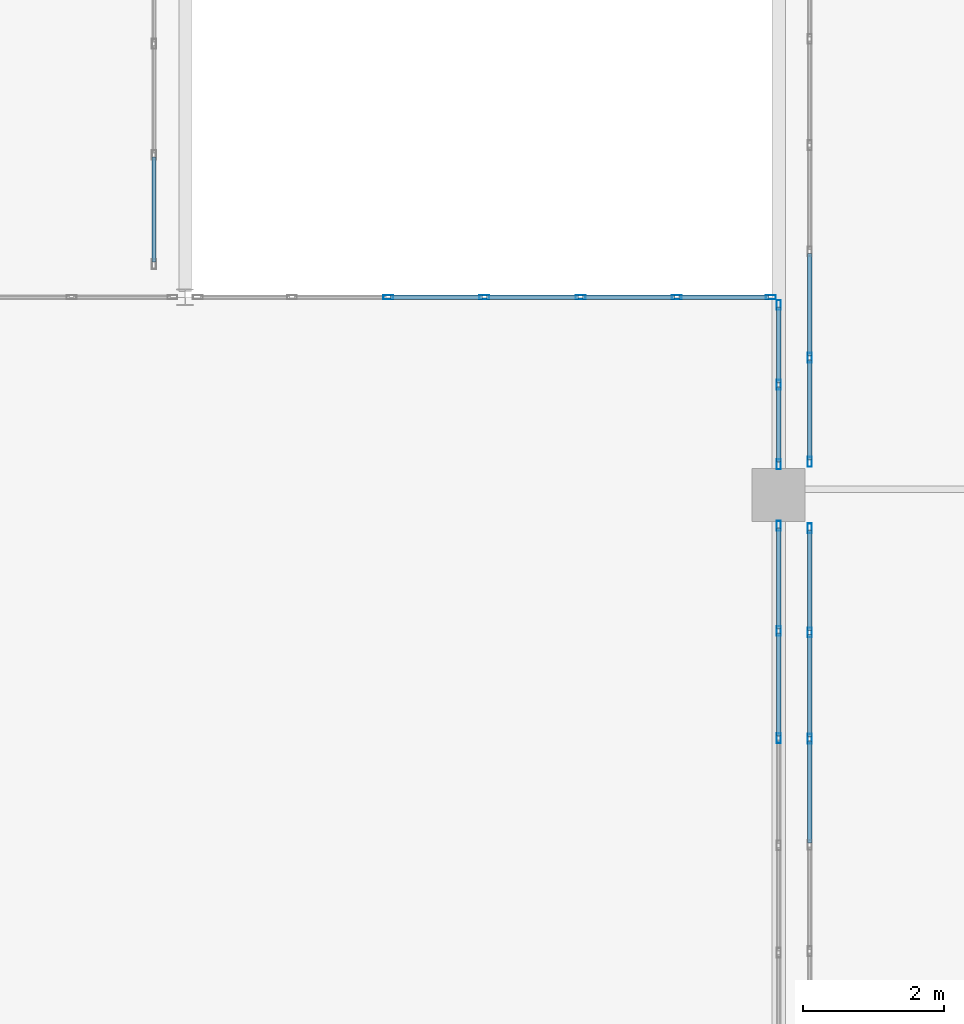
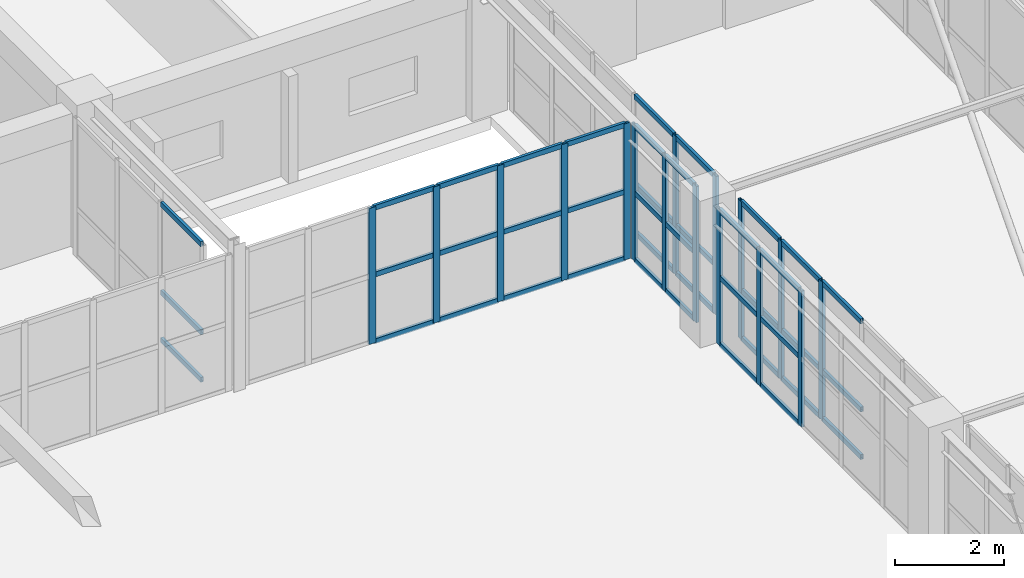
# One storey, part 99 of 200: 58 members, 6 elements without a shape of their own.
"""IFC4 building model written with IfcOpenShell, lengths in metres."""

from ifc_helpers import new_model, si_unit, direction, frame, origin, origin_2d, place, context, subcontext, project, spatial, hollow_rectangle, extrude, material, layer, layer_set, material_profile, profile_set, type_object, element, aggregate, save


model = new_model("IFC4")

# Units and contexts
model_context = context("Model", 3, precision=1e-05, world=origin(), true_north=direction((0.0, 1.0)))
body_context = subcontext(model_context, "Body", "Model", "MODEL_VIEW")
ifc_project = project(units=[si_unit("LENGTHUNIT", "METRE"), si_unit("AREAUNIT", "SQUARE_METRE"), si_unit("VOLUMEUNIT", "CUBIC_METRE"), si_unit("PLANEANGLEUNIT", "RADIAN"), si_unit("MASSUNIT", "GRAM", prefix="KILO")], contexts=[model_context])

# Site, building, storey
site_placement = place(None, origin())
site = spatial("IfcSite", under=ifc_project, at=site_placement, CompositionType="ELEMENT")
building_placement = place(site_placement, origin())
building = spatial("IfcBuilding", under=site, at=building_placement, Name="Trelvath General Hospital", CompositionType="ELEMENT")
storey_placement = place(building_placement, frame((0.0, 0.0, 4.800048828125)))
storey = spatial("IfcBuildingStorey", under=building, at=storey_placement, Name="L01", CompositionType="ELEMENT", Elevation=4.800048828125)

# Curtain wall, members
ifc_material_1 = material(Name="Anodised aluminium and low-E glass", Category="aluminium")
ifc_layer_1 = layer(ifc_material_1, 0.14990234375)
ifc_layer_set_1 = layer_set([ifc_layer_1], Name="Anodised aluminium and low-E glass")
curtain_wall_type_1 = type_object("IfcCurtainWallType", Name="CW CrystalCube 817 306 15", PredefinedType="USERDEFINED", material=ifc_layer_set_1)
curtain_wall_1_placement = place(storey_placement, origin())
curtain_wall_1 = element("IfcCurtainWall", 1, at=curtain_wall_1_placement, inside=storey, type_object=curtain_wall_type_1, Name="Crystal Cube Curtain Wall CUBE-W-T0 N5 L01", ObjectType="Unitised Glazed Curtain Wall", PredefinedType="USERDEFINED")
ifc_material_2 = material(Name="Anodised aluminium", Category="aluminium")
ifc_material_profile_1 = material_profile(ifc_material_2, hollow_rectangle(XDim=0.06005859375, YDim=0.139892578125, WallThickness=0.00390625, at=origin_2d()), Name="RHS60x140x4")
ifc_profile_set_1 = profile_set([ifc_material_profile_1], Name="Anodised aluminium")
member_type_1 = type_object("IfcMemberType", Name="CurtainMullion 60x140", PredefinedType="MULLION", material=ifc_profile_set_1)
member_1_placement = place(storey_placement, frame((70.0732421875, 86.800048828125, 0.0), z_axis=(0.0, 0.0, 1.0), x_axis=(0.0, 1.0, 0.0)))
member_1 = element("IfcMember", 2, at=member_1_placement, type_object=member_type_1, Name="CW-137 mullion 3", PredefinedType="MULLION", context=body_context, shape_type="SweptSolid", body=[
    extrude(hollow_rectangle(XDim=0.06005859375, YDim=0.139892578125, WallThickness=0.00390625, at=origin_2d()), origin(), (0.0, 0.0, 1.0), 3.06005859375),
])
member_2_placement = place(storey_placement, frame((71.43505859375, 86.800048828125, 0.0), z_axis=(0.0, 0.0, 1.0), x_axis=(0.0, 1.0, 0.0)))
member_2 = element("IfcMember", 3, at=member_2_placement, type_object=member_type_1, Name="CW-137 mullion 4", PredefinedType="MULLION", context=body_context, shape_type="SweptSolid", body=[
    extrude(hollow_rectangle(XDim=0.06005859375, YDim=0.139892578125, WallThickness=0.00390625, at=origin_2d()), origin(), (0.0, 0.0, 1.0), 3.06005859375),
])
member_3_placement = place(storey_placement, frame((72.796630859375, 86.800048828125, 0.0), z_axis=(0.0, 0.0, 1.0), x_axis=(0.0, 1.0, 0.0)))
member_3 = element("IfcMember", 4, at=member_3_placement, type_object=member_type_1, Name="CW-137 mullion 5", PredefinedType="MULLION", context=body_context, shape_type="SweptSolid", body=[
    extrude(hollow_rectangle(XDim=0.06005859375, YDim=0.139892578125, WallThickness=0.00390625, at=origin_2d()), origin(), (0.0, 0.0, 1.0), 3.06005859375),
])
member_4_placement = place(storey_placement, frame((74.158447265625, 86.800048828125, 0.0), z_axis=(0.0, 0.0, 1.0), x_axis=(0.0, 1.0, 0.0)))
member_4 = element("IfcMember", 5, at=member_4_placement, type_object=member_type_1, Name="CW-137 mullion 6", PredefinedType="MULLION", context=body_context, shape_type="SweptSolid", body=[
    extrude(hollow_rectangle(XDim=0.06005859375, YDim=0.139892578125, WallThickness=0.00390625, at=origin_2d()), origin(), (0.0, 0.0, 1.0), 3.06005859375),
])
member_5_placement = place(storey_placement, frame((75.489990234375, 86.800048828125, 0.0), z_axis=(0.0, 0.0, 1.0), x_axis=(0.0, 1.0, 0.0)))
member_5 = element("IfcMember", 6, at=member_5_placement, type_object=member_type_1, Name="CW-137 mullion 7", PredefinedType="MULLION", context=body_context, shape_type="SweptSolid", body=[
    extrude(hollow_rectangle(XDim=0.06005859375, YDim=0.139892578125, WallThickness=0.00390625, at=origin_2d()), origin(), (0.0, 0.0, 1.0), 3.06005859375),
])

ifc_material_3 = material(Name="Anodised aluminium and low-E glass", Category="aluminium")
ifc_layer_2 = layer(ifc_material_3, 0.14990234375)
ifc_layer_set_2 = layer_set([ifc_layer_2], Name="Anodised aluminium and low-E glass")
curtain_wall_type_2 = type_object("IfcCurtainWallType", Name="CW CrystalCube 759 306 15", PredefinedType="USERDEFINED", material=ifc_layer_set_2)
curtain_wall_2_placement = place(storey_placement, origin())
curtain_wall_2 = element("IfcCurtainWall", 7, at=curtain_wall_2_placement, inside=storey, type_object=curtain_wall_type_2, Name="Crystal Cube Curtain Wall CUBE-W-T0 E6 L01", ObjectType="Unitised Glazed Curtain Wall", PredefinedType="USERDEFINED")
member_6_placement = place(storey_placement, frame((75.60009765625, 83.56494140625, 0.0), z_axis=(0.0, 0.0, 1.0), x_axis=(1.0, 0.0, 0.0)))
member_6 = element("IfcMember", 8, at=member_6_placement, type_object=member_type_1, Name="CW-147 mullion 1", PredefinedType="MULLION", context=body_context, shape_type="SweptSolid", body=[
    extrude(hollow_rectangle(XDim=0.06005859375, YDim=0.139892578125, WallThickness=0.00390625, at=origin_2d()), origin(), (0.0, 0.0, 1.0), 3.06005859375),
])
member_7_placement = place(storey_placement, frame((75.60009765625, 82.076904296875, 0.0), z_axis=(0.0, 0.0, 1.0), x_axis=(1.0, 0.0, 0.0)))
member_7 = element("IfcMember", 9, at=member_7_placement, type_object=member_type_1, Name="CW-147 mullion 2", PredefinedType="MULLION", context=body_context, shape_type="SweptSolid", body=[
    extrude(hollow_rectangle(XDim=0.06005859375, YDim=0.139892578125, WallThickness=0.00390625, at=origin_2d()), origin(), (0.0, 0.0, 1.0), 3.06005859375),
])
member_8_placement = place(storey_placement, frame((75.60009765625, 80.55908203125, 0.0), z_axis=(0.0, 0.0, 1.0), x_axis=(1.0, 0.0, 0.0)))
member_8 = element("IfcMember", 10, at=member_8_placement, type_object=member_type_1, Name="CW-147 mullion 3", PredefinedType="MULLION", context=body_context, shape_type="SweptSolid", body=[
    extrude(hollow_rectangle(XDim=0.06005859375, YDim=0.139892578125, WallThickness=0.00390625, at=origin_2d()), origin(), (0.0, 0.0, 1.0), 3.06005859375),
])

ifc_material_4 = material(Name="Anodised aluminium and low-E glass", Category="aluminium")
ifc_layer_3 = layer(ifc_material_4, 0.14990234375)
ifc_layer_set_3 = layer_set([ifc_layer_3], Name="Anodised aluminium and low-E glass")
curtain_wall_type_3 = type_object("IfcCurtainWallType", Name="CW CrystalCube 232 306 15", PredefinedType="USERDEFINED", material=ifc_layer_set_3)
curtain_wall_3_placement = place(storey_placement, origin())
curtain_wall_3 = element("IfcCurtainWall", 11, at=curtain_wall_3_placement, inside=storey, type_object=curtain_wall_type_3, Name="Crystal Cube Curtain Wall CUBE-W-T0 E7 L01", ObjectType="Unitised Glazed Curtain Wall", PredefinedType="USERDEFINED")
member_9_placement = place(storey_placement, frame((75.60009765625, 86.68994140625, 0.0), z_axis=(0.0, 0.0, 1.0), x_axis=(1.0, 0.0, 0.0)))
member_9 = element("IfcMember", 12, at=member_9_placement, type_object=member_type_1, Name="CW-149 mullion 1", PredefinedType="MULLION", context=body_context, shape_type="SweptSolid", body=[
    extrude(hollow_rectangle(XDim=0.06005859375, YDim=0.139892578125, WallThickness=0.00390625, at=origin_2d()), origin(), (0.0, 0.0, 1.0), 3.06005859375),
])
member_10_placement = place(storey_placement, frame((75.60009765625, 85.5625, 0.0), z_axis=(0.0, 0.0, 1.0), x_axis=(1.0, 0.0, 0.0)))
member_10 = element("IfcMember", 13, at=member_10_placement, type_object=member_type_1, Name="CW-149 mullion 2", PredefinedType="MULLION", context=body_context, shape_type="SweptSolid", body=[
    extrude(hollow_rectangle(XDim=0.06005859375, YDim=0.139892578125, WallThickness=0.00390625, at=origin_2d()), origin(), (0.0, 0.0, 1.0), 3.06005859375),
])
member_11_placement = place(storey_placement, frame((75.60009765625, 84.43505859375, 0.0), z_axis=(0.0, 0.0, 1.0), x_axis=(1.0, 0.0, 0.0)))
member_11 = element("IfcMember", 14, at=member_11_placement, type_object=member_type_1, Name="CW-149 mullion 3", PredefinedType="MULLION", context=body_context, shape_type="SweptSolid", body=[
    extrude(hollow_rectangle(XDim=0.06005859375, YDim=0.139892578125, WallThickness=0.00390625, at=origin_2d()), origin(), (0.0, 0.0, 1.0), 3.06005859375),
])

ifc_material_5 = material(Name="Anodised aluminium and low-E glass", Category="aluminium")
ifc_layer_4 = layer(ifc_material_5, 0.139892578125)
ifc_layer_set_4 = layer_set([ifc_layer_4], Name="Anodised aluminium and low-E glass")
curtain_wall_type_4 = type_object("IfcCurtainWallType", Name="CW Bridge 752 311", PredefinedType="USERDEFINED", material=ifc_layer_set_4)
curtain_wall_4_placement = place(storey_placement, origin())
curtain_wall_4 = element("IfcCurtainWall", 15, at=curtain_wall_4_placement, inside=storey, type_object=curtain_wall_type_4, Name="Glazed Bridge Curtain Wall BRG-N-C W L01", ObjectType="Unitised Glazed Curtain Wall", PredefinedType="USERDEFINED")
member_12_placement = place(storey_placement, frame((76.0400390625, 80.552001953125, 0.0), z_axis=(0.0, 0.0, 1.0), x_axis=(-1.0, 0.0, 0.0)))
member_12 = element("IfcMember", 16, at=member_12_placement, type_object=member_type_1, Name="CW-174 mullion 4", PredefinedType="MULLION", context=body_context, shape_type="SweptSolid", body=[
    extrude(hollow_rectangle(XDim=0.06005859375, YDim=0.139892578125, WallThickness=0.00390625, at=origin_2d()), origin(), (0.0, 0.0, 1.0), 3.10986328125),
])
member_13_placement = place(storey_placement, frame((76.0400390625, 82.055908203125, 0.0), z_axis=(0.0, 0.0, 1.0), x_axis=(-1.0, 0.0, 0.0)))
member_13 = element("IfcMember", 17, at=member_13_placement, type_object=member_type_1, Name="CW-174 mullion 5", PredefinedType="MULLION", context=body_context, shape_type="SweptSolid", body=[
    extrude(hollow_rectangle(XDim=0.06005859375, YDim=0.139892578125, WallThickness=0.00390625, at=origin_2d()), origin(), (0.0, 0.0, 1.0), 3.10986328125),
])
member_14_placement = place(storey_placement, frame((76.0400390625, 83.530029296875, 0.0), z_axis=(0.0, 0.0, 1.0), x_axis=(-1.0, 0.0, 0.0)))
member_14 = element("IfcMember", 18, at=member_14_placement, type_object=member_type_1, Name="CW-174 mullion 6", PredefinedType="MULLION", context=body_context, shape_type="SweptSolid", body=[
    extrude(hollow_rectangle(XDim=0.06005859375, YDim=0.139892578125, WallThickness=0.00390625, at=origin_2d()), origin(), (0.0, 0.0, 1.0), 3.10986328125),
])

curtain_wall_5_placement = place(storey_placement, origin())
curtain_wall_5 = element("IfcCurtainWall", 19, at=curtain_wall_5_placement, inside=storey, type_object=curtain_wall_type_4, Name="Glazed Bridge Curtain Wall BRG-N-C W L01", ObjectType="Unitised Glazed Curtain Wall", PredefinedType="USERDEFINED")
member_15_placement = place(storey_placement, frame((76.0400390625, 84.469970703125, 0.0), z_axis=(0.0, 0.0, 1.0), x_axis=(-1.0, 0.0, 0.0)))
member_15 = element("IfcMember", 20, at=member_15_placement, type_object=member_type_1, Name="CW-176 mullion 1", PredefinedType="MULLION", context=body_context, shape_type="SweptSolid", body=[
    extrude(hollow_rectangle(XDim=0.06005859375, YDim=0.139892578125, WallThickness=0.00390625, at=origin_2d()), origin(), (0.0, 0.0, 1.0), 3.10986328125),
])
member_16_placement = place(storey_placement, frame((76.0400390625, 85.944091796875, 0.0), z_axis=(0.0, 0.0, 1.0), x_axis=(-1.0, 0.0, 0.0)))
member_16 = element("IfcMember", 21, at=member_16_placement, type_object=member_type_1, Name="CW-176 mullion 2", PredefinedType="MULLION", context=body_context, shape_type="SweptSolid", body=[
    extrude(hollow_rectangle(XDim=0.06005859375, YDim=0.139892578125, WallThickness=0.00390625, at=origin_2d()), origin(), (0.0, 0.0, 1.0), 3.10986328125),
])

# Member
ifc_material_6 = material(Name="Anodised aluminium", Category="aluminium")
ifc_material_profile_2 = material_profile(ifc_material_6, hollow_rectangle(XDim=0.06005859375, YDim=0.110107421875, WallThickness=0.00390625, at=origin_2d()), Name="RHS60x110x4")
ifc_profile_set_2 = profile_set([ifc_material_profile_2], Name="Anodised aluminium")
member_type_2 = type_object("IfcMemberType", Name="CurtainTransom 60x110", PredefinedType="USERDEFINED", material=ifc_profile_set_2)
member_17_placement = place(storey_placement, frame((70.103271484375, 86.800048828125, 0.030029296875), z_axis=(1.0, 0.0, 0.0), x_axis=(0.0, 1.0, 0.0)))
member_17 = element("IfcMember", 22, at=member_17_placement, type_object=member_type_2, Name="CW-137 transom 3.1", ObjectType="TRANSOM", PredefinedType="USERDEFINED", context=body_context, shape_type="SweptSolid", body=[
    extrude(hollow_rectangle(XDim=0.06005859375, YDim=0.110107421875, WallThickness=0.00390625, at=origin_2d()), origin(), (0.0, 0.0, 1.0), 1.3017578125),
])

member_18_placement = place(storey_placement, frame((70.103271484375, 86.800048828125, 1.530029296875), z_axis=(1.0, 0.0, 0.0), x_axis=(0.0, 1.0, 0.0)))
member_18 = element("IfcMember", 23, at=member_18_placement, type_object=member_type_2, Name="CW-137 transom 3.2", ObjectType="TRANSOM", PredefinedType="USERDEFINED", context=body_context, shape_type="SweptSolid", body=[
    extrude(hollow_rectangle(XDim=0.06005859375, YDim=0.110107421875, WallThickness=0.00390625, at=origin_2d()), origin(), (0.0, 0.0, 1.0), 1.3017578125),
])

member_19_placement = place(storey_placement, frame((70.103271484375, 86.800048828125, 3.030029296875), z_axis=(1.0, 0.0, 0.0), x_axis=(0.0, 1.0, 0.0)))
member_19 = element("IfcMember", 24, at=member_19_placement, type_object=member_type_2, Name="CW-137 transom 3.3", ObjectType="TRANSOM", PredefinedType="USERDEFINED", context=body_context, shape_type="SweptSolid", body=[
    extrude(hollow_rectangle(XDim=0.06005859375, YDim=0.110107421875, WallThickness=0.00390625, at=origin_2d()), origin(), (0.0, 0.0, 1.0), 1.3017578125),
])

member_20_placement = place(storey_placement, frame((71.465087890625, 86.800048828125, 0.030029296875), z_axis=(1.0, 0.0, 0.0), x_axis=(0.0, 1.0, 0.0)))
member_20 = element("IfcMember", 25, at=member_20_placement, type_object=member_type_2, Name="CW-137 transom 4.1", ObjectType="TRANSOM", PredefinedType="USERDEFINED", context=body_context, shape_type="SweptSolid", body=[
    extrude(hollow_rectangle(XDim=0.06005859375, YDim=0.110107421875, WallThickness=0.00390625, at=origin_2d()), origin(), (0.0, 0.0, 1.0), 1.301513671875),
])

member_21_placement = place(storey_placement, frame((71.465087890625, 86.800048828125, 1.530029296875), z_axis=(1.0, 0.0, 0.0), x_axis=(0.0, 1.0, 0.0)))
member_21 = element("IfcMember", 26, at=member_21_placement, type_object=member_type_2, Name="CW-137 transom 4.2", ObjectType="TRANSOM", PredefinedType="USERDEFINED", context=body_context, shape_type="SweptSolid", body=[
    extrude(hollow_rectangle(XDim=0.06005859375, YDim=0.110107421875, WallThickness=0.00390625, at=origin_2d()), origin(), (0.0, 0.0, 1.0), 1.301513671875),
])

member_22_placement = place(storey_placement, frame((71.465087890625, 86.800048828125, 3.030029296875), z_axis=(1.0, 0.0, 0.0), x_axis=(0.0, 1.0, 0.0)))
member_22 = element("IfcMember", 27, at=member_22_placement, type_object=member_type_2, Name="CW-137 transom 4.3", ObjectType="TRANSOM", PredefinedType="USERDEFINED", context=body_context, shape_type="SweptSolid", body=[
    extrude(hollow_rectangle(XDim=0.06005859375, YDim=0.110107421875, WallThickness=0.00390625, at=origin_2d()), origin(), (0.0, 0.0, 1.0), 1.301513671875),
])

member_23_placement = place(storey_placement, frame((72.82666015625, 86.800048828125, 0.030029296875), z_axis=(1.0, 0.0, 0.0), x_axis=(0.0, 1.0, 0.0)))
member_23 = element("IfcMember", 28, at=member_23_placement, type_object=member_type_2, Name="CW-137 transom 5.1", ObjectType="TRANSOM", PredefinedType="USERDEFINED", context=body_context, shape_type="SweptSolid", body=[
    extrude(hollow_rectangle(XDim=0.06005859375, YDim=0.110107421875, WallThickness=0.00390625, at=origin_2d()), origin(), (0.0, 0.0, 1.0), 1.3017578125),
])

member_24_placement = place(storey_placement, frame((72.82666015625, 86.800048828125, 1.530029296875), z_axis=(1.0, 0.0, 0.0), x_axis=(0.0, 1.0, 0.0)))
member_24 = element("IfcMember", 29, at=member_24_placement, type_object=member_type_2, Name="CW-137 transom 5.2", ObjectType="TRANSOM", PredefinedType="USERDEFINED", context=body_context, shape_type="SweptSolid", body=[
    extrude(hollow_rectangle(XDim=0.06005859375, YDim=0.110107421875, WallThickness=0.00390625, at=origin_2d()), origin(), (0.0, 0.0, 1.0), 1.3017578125),
])

member_25_placement = place(storey_placement, frame((72.82666015625, 86.800048828125, 3.030029296875), z_axis=(1.0, 0.0, 0.0), x_axis=(0.0, 1.0, 0.0)))
member_25 = element("IfcMember", 30, at=member_25_placement, type_object=member_type_2, Name="CW-137 transom 5.3", ObjectType="TRANSOM", PredefinedType="USERDEFINED", context=body_context, shape_type="SweptSolid", body=[
    extrude(hollow_rectangle(XDim=0.06005859375, YDim=0.110107421875, WallThickness=0.00390625, at=origin_2d()), origin(), (0.0, 0.0, 1.0), 1.3017578125),
])

member_26_placement = place(storey_placement, frame((74.188232421875, 86.800048828125, 0.030029296875), z_axis=(1.0, 0.0, 0.0), x_axis=(0.0, 1.0, 0.0)))
member_26 = element("IfcMember", 31, at=member_26_placement, type_object=member_type_2, Name="CW-137 transom 6.1", ObjectType="TRANSOM", PredefinedType="USERDEFINED", context=body_context, shape_type="SweptSolid", body=[
    extrude(hollow_rectangle(XDim=0.06005859375, YDim=0.110107421875, WallThickness=0.00390625, at=origin_2d()), origin(), (0.0, 0.0, 1.0), 1.271728515625),
])

member_27_placement = place(storey_placement, frame((74.188232421875, 86.800048828125, 1.530029296875), z_axis=(1.0, 0.0, 0.0), x_axis=(0.0, 1.0, 0.0)))
member_27 = element("IfcMember", 32, at=member_27_placement, type_object=member_type_2, Name="CW-137 transom 6.2", ObjectType="TRANSOM", PredefinedType="USERDEFINED", context=body_context, shape_type="SweptSolid", body=[
    extrude(hollow_rectangle(XDim=0.06005859375, YDim=0.110107421875, WallThickness=0.00390625, at=origin_2d()), origin(), (0.0, 0.0, 1.0), 1.271728515625),
])

member_28_placement = place(storey_placement, frame((74.188232421875, 86.800048828125, 3.030029296875), z_axis=(1.0, 0.0, 0.0), x_axis=(0.0, 1.0, 0.0)))
member_28 = element("IfcMember", 33, at=member_28_placement, type_object=member_type_2, Name="CW-137 transom 6.3", ObjectType="TRANSOM", PredefinedType="USERDEFINED", context=body_context, shape_type="SweptSolid", body=[
    extrude(hollow_rectangle(XDim=0.06005859375, YDim=0.110107421875, WallThickness=0.00390625, at=origin_2d()), origin(), (0.0, 0.0, 1.0), 1.271728515625),
])

aggregate(curtain_wall_1, [member_1, member_2, member_3, member_4, member_5, member_17, member_18, member_19, member_20, member_21, member_22, member_23, member_24, member_25, member_26, member_27, member_28])

member_29_placement = place(storey_placement, frame((75.60009765625, 83.534912109375, 0.030029296875), z_axis=(0.0, -1.0, 0.0), x_axis=(1.0, 0.0, 0.0)))
member_29 = element("IfcMember", 34, at=member_29_placement, type_object=member_type_2, Name="CW-147 transom 1.1", ObjectType="TRANSOM", PredefinedType="USERDEFINED", context=body_context, shape_type="SweptSolid", body=[
    extrude(hollow_rectangle(XDim=0.06005859375, YDim=0.110107421875, WallThickness=0.00390625, at=origin_2d()), origin(), (0.0, 0.0, 1.0), 1.427978515625),
])

member_30_placement = place(storey_placement, frame((75.60009765625, 83.534912109375, 1.530029296875), z_axis=(0.0, -1.0, 0.0), x_axis=(1.0, 0.0, 0.0)))
member_30 = element("IfcMember", 35, at=member_30_placement, type_object=member_type_2, Name="CW-147 transom 1.2", ObjectType="TRANSOM", PredefinedType="USERDEFINED", context=body_context, shape_type="SweptSolid", body=[
    extrude(hollow_rectangle(XDim=0.06005859375, YDim=0.110107421875, WallThickness=0.00390625, at=origin_2d()), origin(), (0.0, 0.0, 1.0), 1.427978515625),
])

member_31_placement = place(storey_placement, frame((75.60009765625, 83.534912109375, 3.030029296875), z_axis=(0.0, -1.0, 0.0), x_axis=(1.0, 0.0, 0.0)))
member_31 = element("IfcMember", 36, at=member_31_placement, type_object=member_type_2, Name="CW-147 transom 1.3", ObjectType="TRANSOM", PredefinedType="USERDEFINED", context=body_context, shape_type="SweptSolid", body=[
    extrude(hollow_rectangle(XDim=0.06005859375, YDim=0.110107421875, WallThickness=0.00390625, at=origin_2d()), origin(), (0.0, 0.0, 1.0), 1.427978515625),
])

member_32_placement = place(storey_placement, frame((75.60009765625, 82.047119140625, 0.030029296875), z_axis=(0.0, -1.0, 0.0), x_axis=(1.0, 0.0, 0.0)))
member_32 = element("IfcMember", 37, at=member_32_placement, type_object=member_type_2, Name="CW-147 transom 2.1", ObjectType="TRANSOM", PredefinedType="USERDEFINED", context=body_context, shape_type="SweptSolid", body=[
    extrude(hollow_rectangle(XDim=0.06005859375, YDim=0.110107421875, WallThickness=0.00390625, at=origin_2d()), origin(), (0.0, 0.0, 1.0), 1.4580078125),
])

member_33_placement = place(storey_placement, frame((75.60009765625, 82.047119140625, 1.530029296875), z_axis=(0.0, -1.0, 0.0), x_axis=(1.0, 0.0, 0.0)))
member_33 = element("IfcMember", 38, at=member_33_placement, type_object=member_type_2, Name="CW-147 transom 2.2", ObjectType="TRANSOM", PredefinedType="USERDEFINED", context=body_context, shape_type="SweptSolid", body=[
    extrude(hollow_rectangle(XDim=0.06005859375, YDim=0.110107421875, WallThickness=0.00390625, at=origin_2d()), origin(), (0.0, 0.0, 1.0), 1.4580078125),
])

member_34_placement = place(storey_placement, frame((75.60009765625, 82.047119140625, 3.030029296875), z_axis=(0.0, -1.0, 0.0), x_axis=(1.0, 0.0, 0.0)))
member_34 = element("IfcMember", 39, at=member_34_placement, type_object=member_type_2, Name="CW-147 transom 2.3", ObjectType="TRANSOM", PredefinedType="USERDEFINED", context=body_context, shape_type="SweptSolid", body=[
    extrude(hollow_rectangle(XDim=0.06005859375, YDim=0.110107421875, WallThickness=0.00390625, at=origin_2d()), origin(), (0.0, 0.0, 1.0), 1.4580078125),
])

aggregate(curtain_wall_2, [member_6, member_7, member_8, member_29, member_30, member_31, member_32, member_33, member_34])

member_35_placement = place(storey_placement, frame((75.60009765625, 86.659912109375, 0.030029296875), z_axis=(0.0, -1.0, 0.0), x_axis=(1.0, 0.0, 0.0)))
member_35 = element("IfcMember", 40, at=member_35_placement, type_object=member_type_2, Name="CW-149 transom 1.1", ObjectType="TRANSOM", PredefinedType="USERDEFINED", context=body_context, shape_type="SweptSolid", body=[
    extrude(hollow_rectangle(XDim=0.06005859375, YDim=0.110107421875, WallThickness=0.00390625, at=origin_2d()), origin(), (0.0, 0.0, 1.0), 1.0673828125),
])

member_36_placement = place(storey_placement, frame((75.60009765625, 86.659912109375, 1.530029296875), z_axis=(0.0, -1.0, 0.0), x_axis=(1.0, 0.0, 0.0)))
member_36 = element("IfcMember", 41, at=member_36_placement, type_object=member_type_2, Name="CW-149 transom 1.2", ObjectType="TRANSOM", PredefinedType="USERDEFINED", context=body_context, shape_type="SweptSolid", body=[
    extrude(hollow_rectangle(XDim=0.06005859375, YDim=0.110107421875, WallThickness=0.00390625, at=origin_2d()), origin(), (0.0, 0.0, 1.0), 1.0673828125),
])

member_37_placement = place(storey_placement, frame((75.60009765625, 86.659912109375, 3.030029296875), z_axis=(0.0, -1.0, 0.0), x_axis=(1.0, 0.0, 0.0)))
member_37 = element("IfcMember", 42, at=member_37_placement, type_object=member_type_2, Name="CW-149 transom 1.3", ObjectType="TRANSOM", PredefinedType="USERDEFINED", context=body_context, shape_type="SweptSolid", body=[
    extrude(hollow_rectangle(XDim=0.06005859375, YDim=0.110107421875, WallThickness=0.00390625, at=origin_2d()), origin(), (0.0, 0.0, 1.0), 1.0673828125),
])

member_38_placement = place(storey_placement, frame((75.60009765625, 85.532470703125, 0.030029296875), z_axis=(0.0, -1.0, 0.0), x_axis=(1.0, 0.0, 0.0)))
member_38 = element("IfcMember", 43, at=member_38_placement, type_object=member_type_2, Name="CW-149 transom 2.1", ObjectType="TRANSOM", PredefinedType="USERDEFINED", context=body_context, shape_type="SweptSolid", body=[
    extrude(hollow_rectangle(XDim=0.06005859375, YDim=0.110107421875, WallThickness=0.00390625, at=origin_2d()), origin(), (0.0, 0.0, 1.0), 1.0673828125),
])

member_39_placement = place(storey_placement, frame((75.60009765625, 85.532470703125, 1.530029296875), z_axis=(0.0, -1.0, 0.0), x_axis=(1.0, 0.0, 0.0)))
member_39 = element("IfcMember", 44, at=member_39_placement, type_object=member_type_2, Name="CW-149 transom 2.2", ObjectType="TRANSOM", PredefinedType="USERDEFINED", context=body_context, shape_type="SweptSolid", body=[
    extrude(hollow_rectangle(XDim=0.06005859375, YDim=0.110107421875, WallThickness=0.00390625, at=origin_2d()), origin(), (0.0, 0.0, 1.0), 1.0673828125),
])

member_40_placement = place(storey_placement, frame((75.60009765625, 85.532470703125, 3.030029296875), z_axis=(0.0, -1.0, 0.0), x_axis=(1.0, 0.0, 0.0)))
member_40 = element("IfcMember", 45, at=member_40_placement, type_object=member_type_2, Name="CW-149 transom 2.3", ObjectType="TRANSOM", PredefinedType="USERDEFINED", context=body_context, shape_type="SweptSolid", body=[
    extrude(hollow_rectangle(XDim=0.06005859375, YDim=0.110107421875, WallThickness=0.00390625, at=origin_2d()), origin(), (0.0, 0.0, 1.0), 1.0673828125),
])

aggregate(curtain_wall_3, [member_9, member_10, member_11, member_35, member_36, member_37, member_38, member_39, member_40])

member_41_placement = place(storey_placement, frame((76.0400390625, 79.077880859375, 0.030029296875), z_axis=(0.0, 1.0, 0.0), x_axis=(-1.0, 0.0, 0.0)))
member_41 = element("IfcMember", 46, at=member_41_placement, type_object=member_type_2, Name="CW-174 transom 3.1", ObjectType="TRANSOM", PredefinedType="USERDEFINED", context=body_context, shape_type="SweptSolid", body=[
    extrude(hollow_rectangle(XDim=0.06005859375, YDim=0.110107421875, WallThickness=0.00390625, at=origin_2d()), origin(), (0.0, 0.0, 1.0), 1.444091796875),
])

member_42_placement = place(storey_placement, frame((76.0400390625, 79.077880859375, 1.099853515625), z_axis=(0.0, 1.0, 0.0), x_axis=(-1.0, 0.0, 0.0)))
member_42 = element("IfcMember", 47, at=member_42_placement, type_object=member_type_2, Name="CW-174 transom 3.2", ObjectType="TRANSOM", PredefinedType="USERDEFINED", context=body_context, shape_type="SweptSolid", body=[
    extrude(hollow_rectangle(XDim=0.06005859375, YDim=0.110107421875, WallThickness=0.00390625, at=origin_2d()), origin(), (0.0, 0.0, 1.0), 1.444091796875),
])

member_43_placement = place(storey_placement, frame((76.0400390625, 79.077880859375, 3.079833984375), z_axis=(0.0, 1.0, 0.0), x_axis=(-1.0, 0.0, 0.0)))
member_43 = element("IfcMember", 48, at=member_43_placement, type_object=member_type_2, Name="CW-174 transom 3.3", ObjectType="TRANSOM", PredefinedType="USERDEFINED", context=body_context, shape_type="SweptSolid", body=[
    extrude(hollow_rectangle(XDim=0.06005859375, YDim=0.110107421875, WallThickness=0.00390625, at=origin_2d()), origin(), (0.0, 0.0, 1.0), 1.444091796875),
])

member_44_placement = place(storey_placement, frame((76.0400390625, 80.58203125, 0.030029296875), z_axis=(0.0, 1.0, 0.0), x_axis=(-1.0, 0.0, 0.0)))
member_44 = element("IfcMember", 49, at=member_44_placement, type_object=member_type_2, Name="CW-174 transom 4.1", ObjectType="TRANSOM", PredefinedType="USERDEFINED", context=body_context, shape_type="SweptSolid", body=[
    extrude(hollow_rectangle(XDim=0.06005859375, YDim=0.110107421875, WallThickness=0.00390625, at=origin_2d()), origin(), (0.0, 0.0, 1.0), 1.44384765625),
])

member_45_placement = place(storey_placement, frame((76.0400390625, 80.58203125, 1.099853515625), z_axis=(0.0, 1.0, 0.0), x_axis=(-1.0, 0.0, 0.0)))
member_45 = element("IfcMember", 50, at=member_45_placement, type_object=member_type_2, Name="CW-174 transom 4.2", ObjectType="TRANSOM", PredefinedType="USERDEFINED", context=body_context, shape_type="SweptSolid", body=[
    extrude(hollow_rectangle(XDim=0.06005859375, YDim=0.110107421875, WallThickness=0.00390625, at=origin_2d()), origin(), (0.0, 0.0, 1.0), 1.44384765625),
])

member_46_placement = place(storey_placement, frame((76.0400390625, 80.58203125, 3.079833984375), z_axis=(0.0, 1.0, 0.0), x_axis=(-1.0, 0.0, 0.0)))
member_46 = element("IfcMember", 51, at=member_46_placement, type_object=member_type_2, Name="CW-174 transom 4.3", ObjectType="TRANSOM", PredefinedType="USERDEFINED", context=body_context, shape_type="SweptSolid", body=[
    extrude(hollow_rectangle(XDim=0.06005859375, YDim=0.110107421875, WallThickness=0.00390625, at=origin_2d()), origin(), (0.0, 0.0, 1.0), 1.44384765625),
])

member_47_placement = place(storey_placement, frame((76.0400390625, 82.0859375, 0.030029296875), z_axis=(0.0, 1.0, 0.0), x_axis=(-1.0, 0.0, 0.0)))
member_47 = element("IfcMember", 52, at=member_47_placement, type_object=member_type_2, Name="CW-174 transom 5.1", ObjectType="TRANSOM", PredefinedType="USERDEFINED", context=body_context, shape_type="SweptSolid", body=[
    extrude(hollow_rectangle(XDim=0.06005859375, YDim=0.110107421875, WallThickness=0.00390625, at=origin_2d()), origin(), (0.0, 0.0, 1.0), 1.4140625),
])

member_48_placement = place(storey_placement, frame((76.0400390625, 82.0859375, 1.099853515625), z_axis=(0.0, 1.0, 0.0), x_axis=(-1.0, 0.0, 0.0)))
member_48 = element("IfcMember", 53, at=member_48_placement, type_object=member_type_2, Name="CW-174 transom 5.2", ObjectType="TRANSOM", PredefinedType="USERDEFINED", context=body_context, shape_type="SweptSolid", body=[
    extrude(hollow_rectangle(XDim=0.06005859375, YDim=0.110107421875, WallThickness=0.00390625, at=origin_2d()), origin(), (0.0, 0.0, 1.0), 1.4140625),
])

member_49_placement = place(storey_placement, frame((76.0400390625, 82.0859375, 3.079833984375), z_axis=(0.0, 1.0, 0.0), x_axis=(-1.0, 0.0, 0.0)))
member_49 = element("IfcMember", 54, at=member_49_placement, type_object=member_type_2, Name="CW-174 transom 5.3", ObjectType="TRANSOM", PredefinedType="USERDEFINED", context=body_context, shape_type="SweptSolid", body=[
    extrude(hollow_rectangle(XDim=0.06005859375, YDim=0.110107421875, WallThickness=0.00390625, at=origin_2d()), origin(), (0.0, 0.0, 1.0), 1.4140625),
])

aggregate(curtain_wall_4, [member_12, member_13, member_14, member_41, member_42, member_43, member_44, member_45, member_46, member_47, member_48, member_49])

member_50_placement = place(storey_placement, frame((76.0400390625, 84.5, 0.030029296875), z_axis=(0.0, 1.0, 0.0), x_axis=(-1.0, 0.0, 0.0)))
member_50 = element("IfcMember", 55, at=member_50_placement, type_object=member_type_2, Name="CW-176 transom 1.1", ObjectType="TRANSOM", PredefinedType="USERDEFINED", context=body_context, shape_type="SweptSolid", body=[
    extrude(hollow_rectangle(XDim=0.06005859375, YDim=0.110107421875, WallThickness=0.00390625, at=origin_2d()), origin(), (0.0, 0.0, 1.0), 1.4140625),
])

member_51_placement = place(storey_placement, frame((76.0400390625, 84.5, 1.099853515625), z_axis=(0.0, 1.0, 0.0), x_axis=(-1.0, 0.0, 0.0)))
member_51 = element("IfcMember", 56, at=member_51_placement, type_object=member_type_2, Name="CW-176 transom 1.2", ObjectType="TRANSOM", PredefinedType="USERDEFINED", context=body_context, shape_type="SweptSolid", body=[
    extrude(hollow_rectangle(XDim=0.06005859375, YDim=0.110107421875, WallThickness=0.00390625, at=origin_2d()), origin(), (0.0, 0.0, 1.0), 1.4140625),
])

member_52_placement = place(storey_placement, frame((76.0400390625, 84.5, 3.079833984375), z_axis=(0.0, 1.0, 0.0), x_axis=(-1.0, 0.0, 0.0)))
member_52 = element("IfcMember", 57, at=member_52_placement, type_object=member_type_2, Name="CW-176 transom 1.3", ObjectType="TRANSOM", PredefinedType="USERDEFINED", context=body_context, shape_type="SweptSolid", body=[
    extrude(hollow_rectangle(XDim=0.06005859375, YDim=0.110107421875, WallThickness=0.00390625, at=origin_2d()), origin(), (0.0, 0.0, 1.0), 1.4140625),
])

member_53_placement = place(storey_placement, frame((76.0400390625, 85.97412109375, 0.030029296875), z_axis=(0.0, 1.0, 0.0), x_axis=(-1.0, 0.0, 0.0)))
member_53 = element("IfcMember", 58, at=member_53_placement, type_object=member_type_2, Name="CW-176 transom 2.1", ObjectType="TRANSOM", PredefinedType="USERDEFINED", context=body_context, shape_type="SweptSolid", body=[
    extrude(hollow_rectangle(XDim=0.06005859375, YDim=0.110107421875, WallThickness=0.00390625, at=origin_2d()), origin(), (0.0, 0.0, 1.0), 1.44384765625),
])

member_54_placement = place(storey_placement, frame((76.0400390625, 85.97412109375, 1.099853515625), z_axis=(0.0, 1.0, 0.0), x_axis=(-1.0, 0.0, 0.0)))
member_54 = element("IfcMember", 59, at=member_54_placement, type_object=member_type_2, Name="CW-176 transom 2.2", ObjectType="TRANSOM", PredefinedType="USERDEFINED", context=body_context, shape_type="SweptSolid", body=[
    extrude(hollow_rectangle(XDim=0.06005859375, YDim=0.110107421875, WallThickness=0.00390625, at=origin_2d()), origin(), (0.0, 0.0, 1.0), 1.44384765625),
])

member_55_placement = place(storey_placement, frame((76.0400390625, 85.97412109375, 3.079833984375), z_axis=(0.0, 1.0, 0.0), x_axis=(-1.0, 0.0, 0.0)))
member_55 = element("IfcMember", 60, at=member_55_placement, type_object=member_type_2, Name="CW-176 transom 2.3", ObjectType="TRANSOM", PredefinedType="USERDEFINED", context=body_context, shape_type="SweptSolid", body=[
    extrude(hollow_rectangle(XDim=0.06005859375, YDim=0.110107421875, WallThickness=0.00390625, at=origin_2d()), origin(), (0.0, 0.0, 1.0), 1.44384765625),
])

aggregate(curtain_wall_5, [member_15, member_16, member_50, member_51, member_52, member_53, member_54, member_55])

# Curtain wall, members
ifc_material_7 = material(Name="Anodised aluminium and low-E glass", Category="aluminium")
ifc_layer_5 = layer(ifc_material_7, 0.139892578125)
ifc_layer_set_5 = layer_set([ifc_layer_5], Name="Anodised aluminium and low-E glass")
curtain_wall_type_5 = type_object("IfcCurtainWallType", Name="CW Bridge 472 311", PredefinedType="USERDEFINED", material=ifc_layer_set_5)
curtain_wall_6_placement = place(storey_placement, origin())
curtain_wall_6 = element("IfcCurtainWall", 61, at=curtain_wall_6_placement, inside=storey, type_object=curtain_wall_type_5, Name="Glazed Bridge Curtain Wall BRG-N-W E L01", ObjectType="Unitised Glazed Curtain Wall", PredefinedType="USERDEFINED")
member_56_placement = place(storey_placement, frame((66.760009765625, 88.783447265625, 0.030029296875), z_axis=(0.0, -1.0, 0.0), x_axis=(1.0, 0.0, 0.0)))
member_56 = element("IfcMember", 62, at=member_56_placement, type_object=member_type_2, Name="CW-183 transom 3.1", ObjectType="TRANSOM", PredefinedType="USERDEFINED", context=body_context, shape_type="SweptSolid", body=[
    extrude(hollow_rectangle(XDim=0.06005859375, YDim=0.110107421875, WallThickness=0.00390625, at=origin_2d()), origin(), (0.0, 0.0, 1.0), 1.4833984375),
])
member_57_placement = place(storey_placement, frame((66.760009765625, 88.783447265625, 1.099853515625), z_axis=(0.0, -1.0, 0.0), x_axis=(1.0, 0.0, 0.0)))
member_57 = element("IfcMember", 63, at=member_57_placement, type_object=member_type_2, Name="CW-183 transom 3.2", ObjectType="TRANSOM", PredefinedType="USERDEFINED", context=body_context, shape_type="SweptSolid", body=[
    extrude(hollow_rectangle(XDim=0.06005859375, YDim=0.110107421875, WallThickness=0.00390625, at=origin_2d()), origin(), (0.0, 0.0, 1.0), 1.4833984375),
])
member_58_placement = place(storey_placement, frame((66.760009765625, 88.783447265625, 3.079833984375), z_axis=(0.0, -1.0, 0.0), x_axis=(1.0, 0.0, 0.0)))
member_58 = element("IfcMember", 64, at=member_58_placement, type_object=member_type_2, Name="CW-183 transom 3.3", ObjectType="TRANSOM", PredefinedType="USERDEFINED", context=body_context, shape_type="SweptSolid", body=[
    extrude(hollow_rectangle(XDim=0.06005859375, YDim=0.110107421875, WallThickness=0.00390625, at=origin_2d()), origin(), (0.0, 0.0, 1.0), 1.4833984375),
])
aggregate(curtain_wall_6, [member_56, member_57, member_58])

save(model, "model.ifc")
